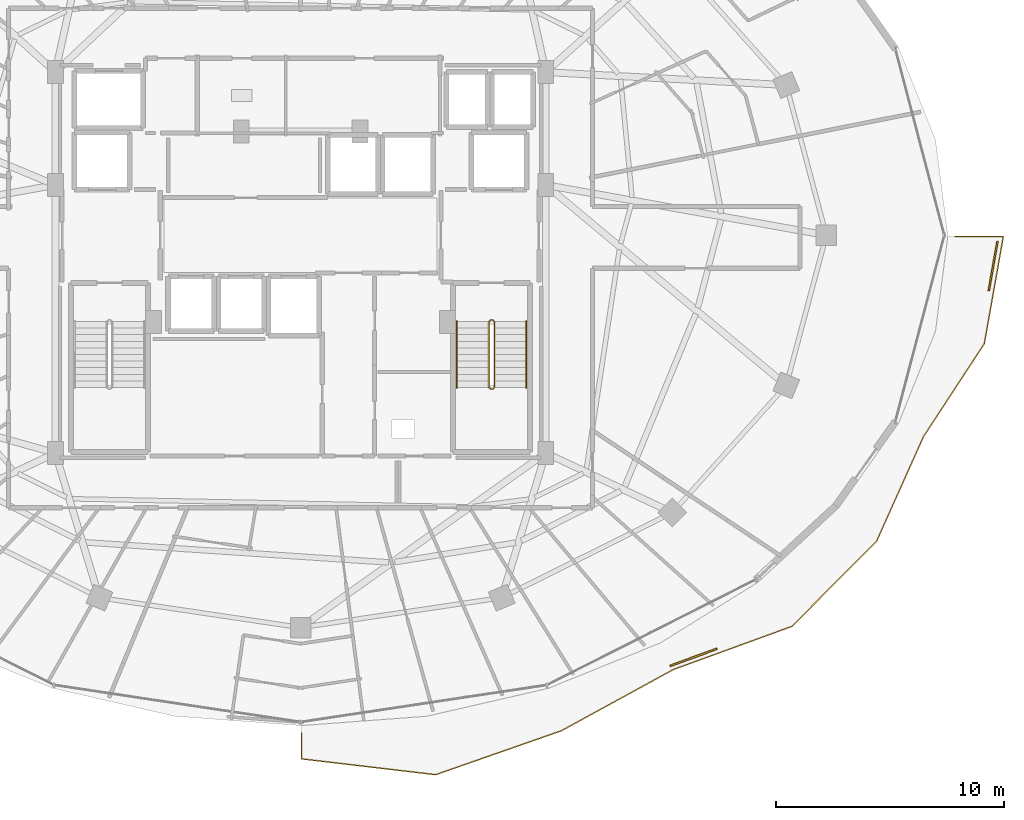
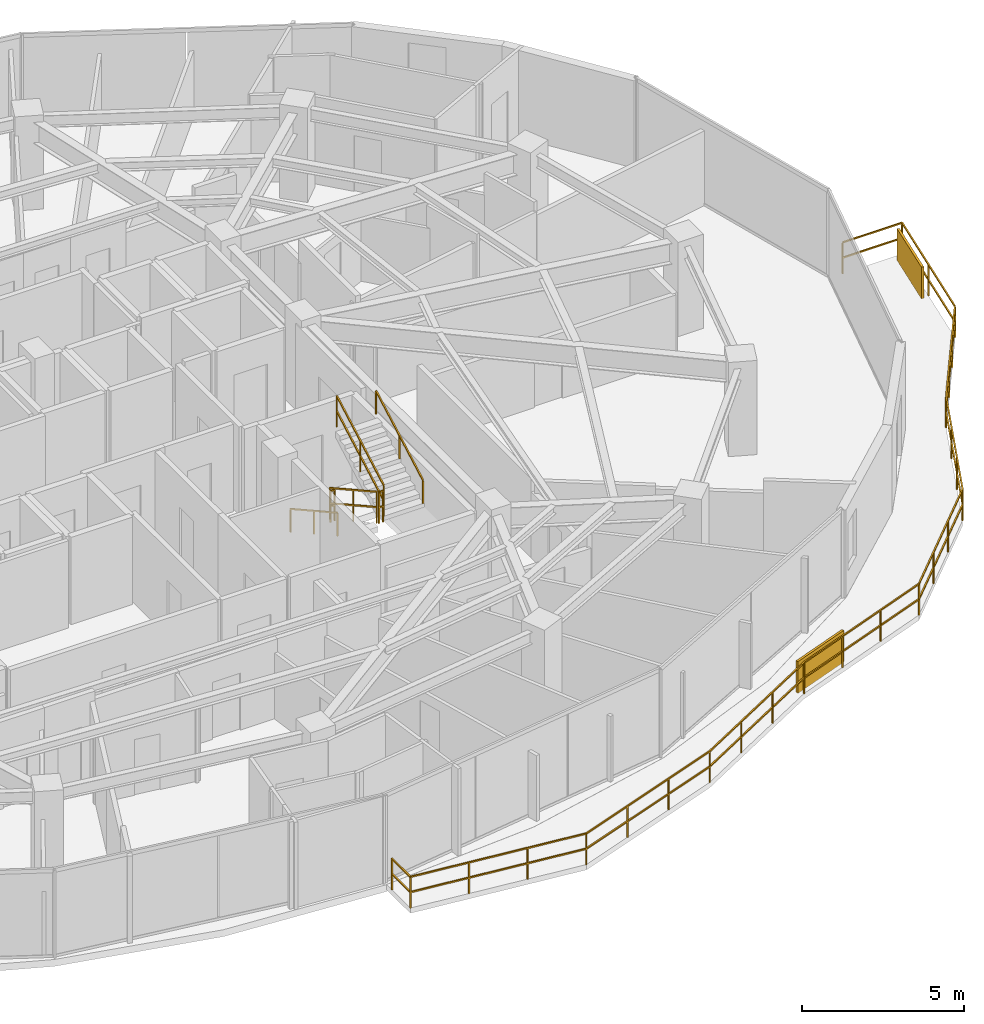
# One storey, part 32 of 34: 8 railings, 2 shading devices.
"""IFC4 building model written with IfcOpenShell, lengths in metres."""

from ifc_helpers import new_model, si_unit, direction, frame, origin, origin_2d, place, context, subcontext, project, spatial, rectangle, extrude, material, type_object, element, save


model = new_model("IFC4")

# Units and contexts
model_context = context("Model", 3, precision=1e-05, world=origin(), true_north=direction((0.0, 1.0)))
body_context = subcontext(model_context, "Body", "Model", "MODEL_VIEW")
ifc_project = project(units=[si_unit("LENGTHUNIT", "METRE"), si_unit("AREAUNIT", "SQUARE_METRE"), si_unit("VOLUMEUNIT", "CUBIC_METRE"), si_unit("PLANEANGLEUNIT", "RADIAN"), si_unit("MASSUNIT", "GRAM", prefix="KILO")], contexts=[model_context])

# Site, building, storey
site_placement = place(None, origin())
site = spatial("IfcSite", under=ifc_project, at=site_placement, CompositionType="ELEMENT")
building_placement = place(site_placement, origin())
building = spatial("IfcBuilding", under=site, at=building_placement, Name="Vorneva Point Tower", CompositionType="ELEMENT")
storey_placement = place(building_placement, frame((0.0, 0.0, 210.75)))
storey = spatial("IfcBuildingStorey", under=building, at=storey_placement, Name="L57", CompositionType="ELEMENT", Elevation=210.75)

# Railings
ifc_material_1 = material(Name="Pale anodised aluminium", Category="aluminium")
railing_type_1 = type_object("IfcRailingType", Name="RL-BAL-1200", PredefinedType="BALUSTRADE", material=ifc_material_1)
railing_1_placement = place(storey_placement, frame((67.97998046875, 21.2421875, 0.0)))
element("IfcRailing", 1, at=railing_1_placement, inside=storey, type_object=railing_type_1, Name="L57 Wave Balcony Balustrade SE.1", PredefinedType="BALUSTRADE", context=body_context, shape_type="SweptSolid", body=[
    extrude(rectangle(XDim=0.048095703125, YDim=0.048095703125, at=origin_2d()), frame((0.0, 0.0, 1.17578125), z_axis=(0.174880445962, 0.984589675763, 0.0), x_axis=(-0.984589675763, 0.174880445962, 0.0)), (0.0, 0.0, 1.0), 4.781494140625),
    extrude(rectangle(XDim=0.048095703125, YDim=0.048095703125, at=origin_2d()), frame((0.0, 0.0, 0.60009765625), z_axis=(0.174880445962, 0.984589675763, 0.0), x_axis=(-0.984589675763, 0.174880445962, 0.0)), (0.0, 0.0, 1.0), 4.781494140625),
    extrude(rectangle(XDim=0.048095703125, YDim=0.048095703125, at=origin_2d()), frame((0.836181640625, 4.707763671875, 1.17578125), z_axis=(-1.0, 0.0, 0.0), x_axis=(0.0, -1.0, 0.0)), (0.0, 0.0, 1.0), 2.119873046875),
    extrude(rectangle(XDim=0.048095703125, YDim=0.048095703125, at=origin_2d()), frame((0.836181640625, 4.707763671875, 0.60009765625), z_axis=(-1.0, 0.0, 0.0), x_axis=(0.0, -1.0, 0.0)), (0.0, 0.0, 1.0), 2.119873046875),
    extrude(rectangle(XDim=0.0419921875, YDim=0.0419921875, at=origin_2d()), origin(), (0.0, 0.0, 1.0), 1.15185546875),
    extrude(rectangle(XDim=0.0419921875, YDim=0.0419921875, at=origin_2d()), frame((0.41796875, 2.35400390625, 0.0)), (0.0, 0.0, 1.0), 1.15185546875),
    extrude(rectangle(XDim=0.0419921875, YDim=0.0419921875, at=origin_2d()), frame((0.836181640625, 4.707763671875, 0.0)), (0.0, 0.0, 1.0), 1.15185546875),
    extrude(rectangle(XDim=0.0419921875, YDim=0.0419921875, at=origin_2d()), frame((-1.28369140625, 4.707763671875, 0.0)), (0.0, 0.0, 1.0), 1.15185546875),
])
railing_2_placement = place(storey_placement, frame((38.050048828125, 4.182861328125, 0.0)))
element("IfcRailing", 2, at=railing_2_placement, inside=storey, type_object=railing_type_1, Name="L57 Wave Balcony Balustrade SE.2", PredefinedType="BALUSTRADE", context=body_context, shape_type="SweptSolid", body=[
    extrude(rectangle(XDim=0.048095703125, YDim=0.048095703125, at=origin_2d()), frame((0.0, 0.0, 1.17578125), z_axis=(0.0, -1.0, 0.0), x_axis=(1.0, 0.0, 0.0)), (0.0, 0.0, 1.0), 1.143798828125),
    extrude(rectangle(XDim=0.048095703125, YDim=0.048095703125, at=origin_2d()), frame((0.0, 0.0, 0.60009765625), z_axis=(0.0, -1.0, 0.0), x_axis=(1.0, 0.0, 0.0)), (0.0, 0.0, 1.0), 1.143798828125),
    extrude(rectangle(XDim=0.048095703125, YDim=0.048095703125, at=origin_2d()), frame((0.0, -1.143798828125, 1.17578125), z_axis=(0.99309950924, -0.11727474045, 0.0), x_axis=(0.11727474045, 0.99309950924, 0.0)), (0.0, 0.0, 1.0), 5.914306640625),
    extrude(rectangle(XDim=0.048095703125, YDim=0.048095703125, at=origin_2d()), frame((0.0, -1.143798828125, 0.60009765625), z_axis=(0.99309950924, -0.11727474045, 0.0), x_axis=(0.11727474045, 0.99309950924, 0.0)), (0.0, 0.0, 1.0), 5.914306640625),
    extrude(rectangle(XDim=0.048095703125, YDim=0.048095703125, at=origin_2d()), frame((5.87353515625, -1.83740234375, 1.17578125), z_axis=(0.943956584951, 0.330069637695, 0.0), x_axis=(-0.330069637695, 0.943956584951, 0.0)), (0.0, 0.0, 1.0), 5.8486328125),
    extrude(rectangle(XDim=0.048095703125, YDim=0.048095703125, at=origin_2d()), frame((5.87353515625, -1.83740234375, 0.60009765625), z_axis=(0.943956584951, 0.330069637695, 0.0), x_axis=(-0.330069637695, 0.943956584951, 0.0)), (0.0, 0.0, 1.0), 5.8486328125),
    extrude(rectangle(XDim=0.048095703125, YDim=0.048095703125, at=origin_2d()), frame((11.394287109375, 0.093017578125, 1.17578125), z_axis=(0.877453467903, 0.479661767984, 0.0), x_axis=(-0.479661767984, 0.877453467903, 0.0)), (0.0, 0.0, 1.0), 5.597412109375),
    extrude(rectangle(XDim=0.048095703125, YDim=0.048095703125, at=origin_2d()), frame((11.394287109375, 0.093017578125, 0.60009765625), z_axis=(0.877453467903, 0.479661767984, 0.0), x_axis=(-0.479661767984, 0.877453467903, 0.0)), (0.0, 0.0, 1.0), 5.597412109375),
    extrude(rectangle(XDim=0.048095703125, YDim=0.048095703125, at=origin_2d()), frame((16.3056640625, 2.77783203125, 1.17578125), z_axis=(0.939736603952, 0.341899276386, 0.0), x_axis=(-0.341899276386, 0.939736603952, 0.0)), (0.0, 0.0, 1.0), 5.521240234375),
    extrude(rectangle(XDim=0.048095703125, YDim=0.048095703125, at=origin_2d()), frame((16.3056640625, 2.77783203125, 0.60009765625), z_axis=(0.939736603952, 0.341899276386, 0.0), x_axis=(-0.341899276386, 0.939736603952, 0.0)), (0.0, 0.0, 1.0), 5.521240234375),
    extrude(rectangle(XDim=0.048095703125, YDim=0.048095703125, at=origin_2d()), frame((21.494140625, 4.66552734375, 1.17578125), z_axis=(0.70488056619, 0.709326009256, 0.0), x_axis=(-0.709326009256, 0.70488056619, 0.0)), (0.0, 0.0, 1.0), 5.272216796875),
    extrude(rectangle(XDim=0.048095703125, YDim=0.048095703125, at=origin_2d()), frame((21.494140625, 4.66552734375, 0.60009765625), z_axis=(0.70488056619, 0.709326009256, 0.0), x_axis=(-0.709326009256, 0.70488056619, 0.0)), (0.0, 0.0, 1.0), 5.272216796875),
    extrude(rectangle(XDim=0.048095703125, YDim=0.048095703125, at=origin_2d()), frame((25.21044921875, 8.4052734375, 1.17578125), z_axis=(0.409188443732, 0.912449898634, 0.0), x_axis=(-0.912449898634, 0.409188443732, 0.0)), (0.0, 0.0, 1.0), 5.0244140625),
    extrude(rectangle(XDim=0.048095703125, YDim=0.048095703125, at=origin_2d()), frame((25.21044921875, 8.4052734375, 0.60009765625), z_axis=(0.409188443732, 0.912449898634, 0.0), x_axis=(-0.912449898634, 0.409188443732, 0.0)), (0.0, 0.0, 1.0), 5.0244140625),
    extrude(rectangle(XDim=0.048095703125, YDim=0.048095703125, at=origin_2d()), frame((27.266357421875, 12.98974609375, 1.17578125), z_axis=(0.547637451213, 0.836715735497, 0.0), x_axis=(-0.836715735497, 0.547637451213, 0.0)), (0.0, 0.0, 1.0), 4.86376953125),
    extrude(rectangle(XDim=0.048095703125, YDim=0.048095703125, at=origin_2d()), frame((27.266357421875, 12.98974609375, 0.60009765625), z_axis=(0.547637451213, 0.836715735497, 0.0), x_axis=(-0.836715735497, 0.547637451213, 0.0)), (0.0, 0.0, 1.0), 4.86376953125),
    extrude(rectangle(XDim=0.0419921875, YDim=0.0419921875, at=origin_2d()), origin(), (0.0, 0.0, 1.0), 1.15185546875),
    extrude(rectangle(XDim=0.0419921875, YDim=0.0419921875, at=origin_2d()), frame((0.0, -1.143798828125, 0.0)), (0.0, 0.0, 1.0), 1.15185546875),
    extrude(rectangle(XDim=0.0419921875, YDim=0.0419921875, at=origin_2d()), frame((1.957763671875, -1.375, 0.0)), (0.0, 0.0, 1.0), 1.15185546875),
    extrude(rectangle(XDim=0.0419921875, YDim=0.0419921875, at=origin_2d()), frame((3.915771484375, -1.606201171875, 0.0)), (0.0, 0.0, 1.0), 1.15185546875),
    extrude(rectangle(XDim=0.0419921875, YDim=0.0419921875, at=origin_2d()), frame((5.87353515625, -1.83740234375, 0.0)), (0.0, 0.0, 1.0), 1.15185546875),
    extrude(rectangle(XDim=0.0419921875, YDim=0.0419921875, at=origin_2d()), frame((7.7138671875, -1.19384765625, 0.0)), (0.0, 0.0, 1.0), 1.15185546875),
    extrude(rectangle(XDim=0.0419921875, YDim=0.0419921875, at=origin_2d()), frame((9.553955078125, -0.550537109375, 0.0)), (0.0, 0.0, 1.0), 1.15185546875),
    extrude(rectangle(XDim=0.0419921875, YDim=0.0419921875, at=origin_2d()), frame((11.394287109375, 0.093017578125, 0.0)), (0.0, 0.0, 1.0), 1.15185546875),
    extrude(rectangle(XDim=0.0419921875, YDim=0.0419921875, at=origin_2d()), frame((13.031494140625, 0.988037109375, 0.0)), (0.0, 0.0, 1.0), 1.15185546875),
    extrude(rectangle(XDim=0.0419921875, YDim=0.0419921875, at=origin_2d()), frame((14.66845703125, 1.8828125, 0.0)), (0.0, 0.0, 1.0), 1.15185546875),
    extrude(rectangle(XDim=0.0419921875, YDim=0.0419921875, at=origin_2d()), frame((16.3056640625, 2.77783203125, 0.0)), (0.0, 0.0, 1.0), 1.15185546875),
    extrude(rectangle(XDim=0.0419921875, YDim=0.0419921875, at=origin_2d()), frame((18.03515625, 3.406982421875, 0.0)), (0.0, 0.0, 1.0), 1.15185546875),
    extrude(rectangle(XDim=0.0419921875, YDim=0.0419921875, at=origin_2d()), frame((19.7646484375, 4.036376953125, 0.0)), (0.0, 0.0, 1.0), 1.15185546875),
    extrude(rectangle(XDim=0.0419921875, YDim=0.0419921875, at=origin_2d()), frame((21.494140625, 4.66552734375, 0.0)), (0.0, 0.0, 1.0), 1.15185546875),
    extrude(rectangle(XDim=0.0419921875, YDim=0.0419921875, at=origin_2d()), frame((22.73291015625, 5.912109375, 0.0)), (0.0, 0.0, 1.0), 1.15185546875),
    extrude(rectangle(XDim=0.0419921875, YDim=0.0419921875, at=origin_2d()), frame((23.9716796875, 7.15869140625, 0.0)), (0.0, 0.0, 1.0), 1.15185546875),
    extrude(rectangle(XDim=0.0419921875, YDim=0.0419921875, at=origin_2d()), frame((25.21044921875, 8.4052734375, 0.0)), (0.0, 0.0, 1.0), 1.15185546875),
    extrude(rectangle(XDim=0.0419921875, YDim=0.0419921875, at=origin_2d()), frame((25.895751953125, 9.933349609375, 0.0)), (0.0, 0.0, 1.0), 1.15185546875),
    extrude(rectangle(XDim=0.0419921875, YDim=0.0419921875, at=origin_2d()), frame((26.5810546875, 11.461669921875, 0.0)), (0.0, 0.0, 1.0), 1.15185546875),
    extrude(rectangle(XDim=0.0419921875, YDim=0.0419921875, at=origin_2d()), frame((27.266357421875, 12.98974609375, 0.0)), (0.0, 0.0, 1.0), 1.15185546875),
    extrude(rectangle(XDim=0.0419921875, YDim=0.0419921875, at=origin_2d()), frame((28.154296875, 14.34619140625, 0.0)), (0.0, 0.0, 1.0), 1.15185546875),
    extrude(rectangle(XDim=0.0419921875, YDim=0.0419921875, at=origin_2d()), frame((29.0419921875, 15.702880859375, 0.0)), (0.0, 0.0, 1.0), 1.15185546875),
    extrude(rectangle(XDim=0.0419921875, YDim=0.0419921875, at=origin_2d()), frame((29.929931640625, 17.059326171875, 0.0)), (0.0, 0.0, 1.0), 1.15185546875),
])
ifc_material_2 = material(Name="Brushed stainless steel S304", Category="steel")
railing_type_2 = type_object("IfcRailingType", Name="RL-HND-920", PredefinedType="HANDRAIL", material=ifc_material_2)
railing_3_placement = place(storey_placement, frame((44.85009765625, 22.219970703125, 0.161376953125)))
element("IfcRailing", 3, at=railing_3_placement, inside=storey, type_object=railing_type_2, Name="L57 ST2 stair handrail 1", PredefinedType="HANDRAIL", context=body_context, shape_type="SweptSolid", body=[
    extrude(rectangle(XDim=0.048095703125, YDim=0.048095703125, at=origin_2d()), frame((0.0, 0.0, 0.8759765625), z_axis=(0.0, -0.873841303929, 0.486211245805), x_axis=(1.0, 0.0, 0.0)), (0.0, 0.0, 1.0), 3.318603515625),
    extrude(rectangle(XDim=0.0419921875, YDim=0.0419921875, at=origin_2d()), origin(), (0.0, 0.0, 1.0), 0.851806640625),
    extrude(rectangle(XDim=0.0419921875, YDim=0.0419921875, at=origin_2d()), frame((0.0, -1.449951171875, 0.806640625)), (0.0, 0.0, 1.0), 0.851806640625),
    extrude(rectangle(XDim=0.0419921875, YDim=0.0419921875, at=origin_2d()), frame((0.0, -2.89990234375, 1.613525390625)), (0.0, 0.0, 1.0), 0.851806640625),
])
railing_4_placement = place(storey_placement, frame((47.89990234375, 19.320068359375, 1.936279296875)))
element("IfcRailing", 4, at=railing_4_placement, inside=storey, type_object=railing_type_2, Name="L57 ST2 stair handrail 2", PredefinedType="HANDRAIL", context=body_context, shape_type="SweptSolid", body=[
    extrude(rectangle(XDim=0.048095703125, YDim=0.048095703125, at=origin_2d()), frame((0.0, 0.0, 0.8759765625), z_axis=(0.0, 0.873810046276, 0.486267419253), x_axis=(-1.0, 0.0, 0.0)), (0.0, 0.0, 1.0), 3.318603515625),
    extrude(rectangle(XDim=0.0419921875, YDim=0.0419921875, at=origin_2d()), origin(), (0.0, 0.0, 1.0), 0.851806640625),
    extrude(rectangle(XDim=0.0419921875, YDim=0.0419921875, at=origin_2d()), frame((0.0, 1.449951171875, 0.806884765625)), (0.0, 0.0, 1.0), 0.851806640625),
    extrude(rectangle(XDim=0.0419921875, YDim=0.0419921875, at=origin_2d()), frame((0.0, 2.89990234375, 1.61376953125)), (0.0, 0.0, 1.0), 0.851806640625),
])
railing_type_3 = type_object("IfcRailingType", Name="RL-STG-1100", PredefinedType="GUARDRAIL", material=ifc_material_2)
railing_5_placement = place(storey_placement, frame((46.25, 22.219970703125, 0.161376953125)))
element("IfcRailing", 5, at=railing_5_placement, inside=storey, type_object=railing_type_3, Name="L57 ST2 stair guard 1", PredefinedType="GUARDRAIL", context=body_context, shape_type="SweptSolid", body=[
    extrude(rectangle(XDim=0.048095703125, YDim=0.048095703125, at=origin_2d()), frame((0.0, 0.0, 1.17578125), z_axis=(0.0, -0.873841303929, 0.486211245805), x_axis=(1.0, 0.0, 0.0)), (0.0, 0.0, 1.0), 3.318603515625),
    extrude(rectangle(XDim=0.048095703125, YDim=0.048095703125, at=origin_2d()), frame((0.0, 0.0, 0.60009765625), z_axis=(0.0, -0.873841303929, 0.486211245805), x_axis=(1.0, 0.0, 0.0)), (0.0, 0.0, 1.0), 3.318603515625),
    extrude(rectangle(XDim=0.0419921875, YDim=0.0419921875, at=origin_2d()), origin(), (0.0, 0.0, 1.0), 1.15185546875),
    extrude(rectangle(XDim=0.0419921875, YDim=0.0419921875, at=origin_2d()), frame((0.0, -1.449951171875, 0.806640625)), (0.0, 0.0, 1.0), 1.15185546875),
    extrude(rectangle(XDim=0.0419921875, YDim=0.0419921875, at=origin_2d()), frame((0.0, -2.89990234375, 1.613525390625)), (0.0, 0.0, 1.0), 1.15185546875),
])
railing_6_placement = place(storey_placement, frame((46.300048828125, 19.27001953125, 1.77490234375)))
element("IfcRailing", 6, at=railing_6_placement, inside=storey, type_object=railing_type_3, Name="L57 ST2 stair guard 2", PredefinedType="GUARDRAIL", context=body_context, shape_type="SweptSolid", body=[
    extrude(rectangle(XDim=0.048095703125, YDim=0.048095703125, at=origin_2d()), frame((0.0, 0.0, 1.17578125), z_axis=(1.0, 0.0, 0.0), x_axis=(0.0, 1.0, 0.0)), (0.0, 0.0, 1.0), 0.14990234375),
    extrude(rectangle(XDim=0.048095703125, YDim=0.048095703125, at=origin_2d()), frame((0.0, 0.0, 0.60009765625), z_axis=(1.0, 0.0, 0.0), x_axis=(0.0, 1.0, 0.0)), (0.0, 0.0, 1.0), 0.14990234375),
    extrude(rectangle(XDim=0.0419921875, YDim=0.0419921875, at=origin_2d()), origin(), (0.0, 0.0, 1.0), 1.15185546875),
    extrude(rectangle(XDim=0.0419921875, YDim=0.0419921875, at=origin_2d()), frame((0.14990234375, 0.0, 0.0)), (0.0, 0.0, 1.0), 1.15185546875),
])
railing_7_placement = place(storey_placement, frame((46.5, 19.320068359375, 1.936279296875)))
element("IfcRailing", 7, at=railing_7_placement, inside=storey, type_object=railing_type_3, Name="L57 ST2 stair guard 3", PredefinedType="GUARDRAIL", context=body_context, shape_type="SweptSolid", body=[
    extrude(rectangle(XDim=0.048095703125, YDim=0.048095703125, at=origin_2d()), frame((0.0, 0.0, 1.17578125), z_axis=(0.0, 0.873810046276, 0.486267419253), x_axis=(-1.0, 0.0, 0.0)), (0.0, 0.0, 1.0), 3.318603515625),
    extrude(rectangle(XDim=0.048095703125, YDim=0.048095703125, at=origin_2d()), frame((0.0, 0.0, 0.60009765625), z_axis=(0.0, 0.873810046276, 0.486267419253), x_axis=(-1.0, 0.0, 0.0)), (0.0, 0.0, 1.0), 3.318603515625),
    extrude(rectangle(XDim=0.0419921875, YDim=0.0419921875, at=origin_2d()), origin(), (0.0, 0.0, 1.0), 1.15185546875),
    extrude(rectangle(XDim=0.0419921875, YDim=0.0419921875, at=origin_2d()), frame((0.0, 1.449951171875, 0.806884765625)), (0.0, 0.0, 1.0), 1.15185546875),
    extrude(rectangle(XDim=0.0419921875, YDim=0.0419921875, at=origin_2d()), frame((0.0, 2.89990234375, 1.61376953125)), (0.0, 0.0, 1.0), 1.15185546875),
])
railing_8_placement = place(storey_placement, frame((46.300048828125, 22.27001953125, 0.0)))
element("IfcRailing", 8, at=railing_8_placement, inside=storey, type_object=railing_type_3, Name="L57 ST2 stair guard 4", PredefinedType="GUARDRAIL", context=body_context, shape_type="SweptSolid", body=[
    extrude(rectangle(XDim=0.048095703125, YDim=0.048095703125, at=origin_2d()), frame((0.0, 0.0, 1.17578125), z_axis=(1.0, 0.0, 0.0), x_axis=(0.0, 1.0, 0.0)), (0.0, 0.0, 1.0), 0.14990234375),
    extrude(rectangle(XDim=0.048095703125, YDim=0.048095703125, at=origin_2d()), frame((0.0, 0.0, 0.60009765625), z_axis=(1.0, 0.0, 0.0), x_axis=(0.0, 1.0, 0.0)), (0.0, 0.0, 1.0), 0.14990234375),
    extrude(rectangle(XDim=0.0419921875, YDim=0.0419921875, at=origin_2d()), origin(), (0.0, 0.0, 1.0), 1.15185546875),
    extrude(rectangle(XDim=0.0419921875, YDim=0.0419921875, at=origin_2d()), frame((0.14990234375, 0.0, 0.0)), (0.0, 0.0, 1.0), 1.15185546875),
])

# Shading devices
shading_device_type = type_object("IfcShadingDeviceType", Name="SHD-JAL-1200", PredefinedType="JALOUSIE", material=ifc_material_1)
for number, where, z_axis, x_axis, name in (
    (9, (68.363525390625, 24.6494140625, -0.02001953125), (0.0, 0.0, 1.0), (0.174885586155, 0.984588762761, 0.0), "L57 Balcony Vertical-Greenery Planter Screen SE.1"),
    (10, (55.22900390625, 7.493896484375, -0.02001953125), (0.0, 0.0, 1.0), (0.939734399416, 0.341905335662, 0.0), "L57 Balcony Vertical-Greenery Planter Screen SE.2"),
):
    element("IfcShadingDevice", number, at=place(storey_placement, frame(where, z_axis=z_axis, x_axis=x_axis)), inside=storey, type_object=shading_device_type, Name=name, PredefinedType="JALOUSIE", context=body_context, shape_type="SweptSolid", body=[
        extrude(rectangle(XDim=2.199951171875, YDim=0.080078125, at=origin_2d()), origin(), (0.0, 0.0, 1.0), 1.199951171875),
    ])

save(model, "model.ifc")
